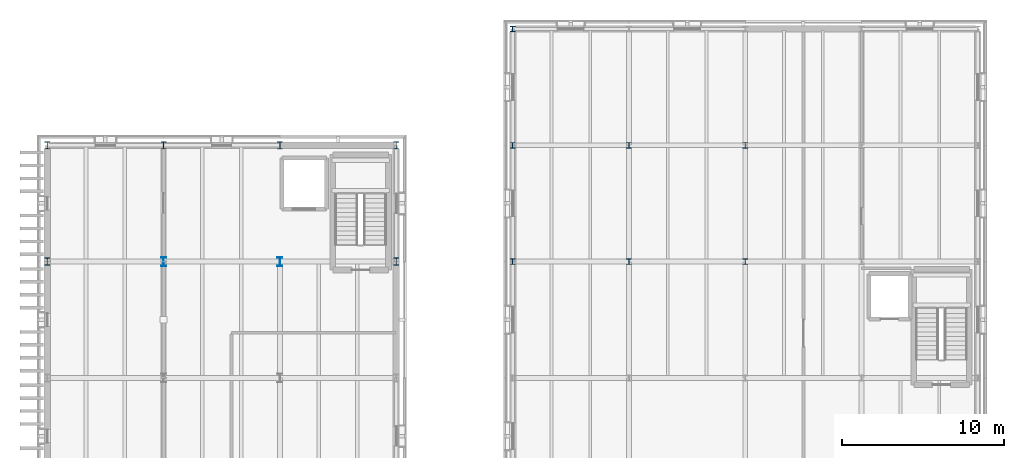
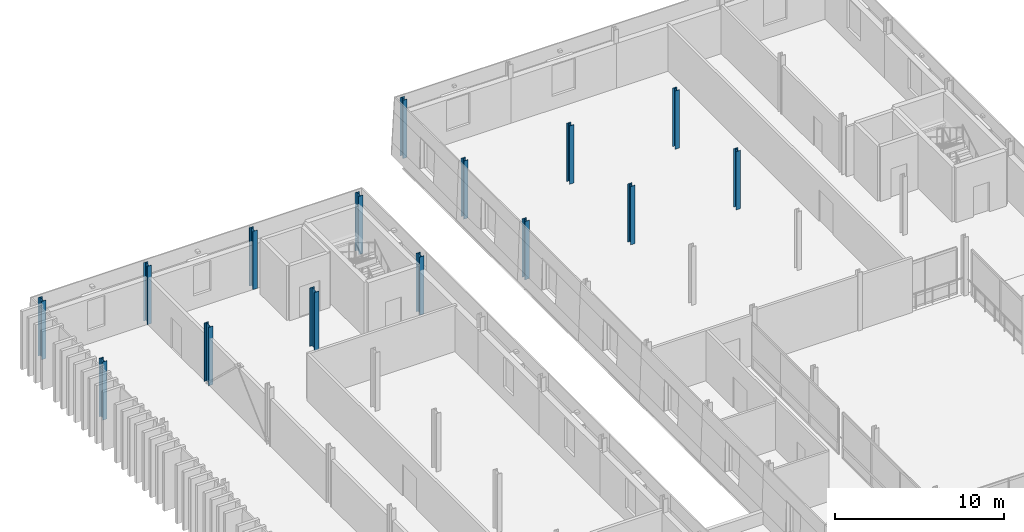
# One storey, part 7 of 91: 15 columns.
"""IFC4 building model written with IfcOpenShell, lengths in metres."""

from ifc_helpers import new_model, si_unit, direction, frame, origin, origin_2d, place, context, subcontext, project, spatial, i_section, extrude, material, material_profile, profile_set, type_object, element, save


model = new_model("IFC4")

# Units and contexts
model_context = context("Model", 3, precision=1e-05, world=origin(), true_north=direction((0.0, 1.0)))
body_context = subcontext(model_context, "Body", "Model", "MODEL_VIEW")
ifc_project = project(units=[si_unit("LENGTHUNIT", "METRE"), si_unit("AREAUNIT", "SQUARE_METRE"), si_unit("VOLUMEUNIT", "CUBIC_METRE"), si_unit("PLANEANGLEUNIT", "RADIAN"), si_unit("MASSUNIT", "GRAM", prefix="KILO")], contexts=[model_context])

# Site, building, storey
site_placement = place(None, origin())
site = spatial("IfcSite", under=ifc_project, at=site_placement, CompositionType="ELEMENT")
building_placement = place(site_placement, origin())
building = spatial("IfcBuilding", under=site, at=building_placement, Name="Narikvali Park Central Library", CompositionType="ELEMENT")
storey_placement = place(building_placement, frame((0.0, 0.0, 14.39990234375)))
storey = spatial("IfcBuildingStorey", under=building, at=storey_placement, Name="L03", CompositionType="ELEMENT", Elevation=14.39990234375)

# Columns
ifc_material = material(Name="Steel S355", Category="steel")
ifc_material_profile_1 = material_profile(ifc_material, i_section(OverallWidth=0.300048828125, OverallDepth=0.340087890625, WebThickness=0.011962890625, FlangeThickness=0.021484375, FilletRadius=0.027099609375, at=origin_2d()), Name="HEB 340")
ifc_profile_set_1 = profile_set([ifc_material_profile_1], Name="Steel S355")
column_type_1 = type_object("IfcColumnType", Name="Steel Column HEB340", PredefinedType="COLUMN", material=ifc_profile_set_1)
for number, where, z_axis, x_axis, name in (
    (1, (28.800048828125, 100.800048828125, 0.0), (0.0, 0.0, 1.0), (1.0, 0.0, 0.0), "V4 L03 Column (28.8,100.8)"),
    (2, (28.800048828125, 108.0, 0.0), (0.0, 0.0, 1.0), (1.0, 0.0, 0.0), "V4 L03 Column (28.8,108.0)"),
    (3, (28.800048828125, 115.199951171875, 0.0), (0.0, 0.0, 1.0), (1.0, 0.0, 0.0), "V4 L03 Column (28.8,115.2)"),
    (4, (36.0, 100.800048828125, 0.0), (0.0, 0.0, 1.0), (1.0, 0.0, 0.0), "V4 L03 Column (36.0,100.8)"),
    (5, (36.0, 108.0, 0.0), (0.0, 0.0, 1.0), (1.0, 0.0, 0.0), "V4 L03 Column (36.0,108.0)"),
    (6, (43.199951171875, 100.800048828125, 0.0), (0.0, 0.0, 1.0), (1.0, 0.0, 0.0), "V4 L03 Column (43.2,100.8)"),
    (7, (43.199951171875, 108.0, 0.0), (0.0, 0.0, 1.0), (1.0, 0.0, 0.0), "V4 L03 Column (43.2,108.0)"),
):
    element("IfcColumn", number, at=place(storey_placement, frame(where, z_axis=z_axis, x_axis=x_axis)), inside=storey, type_object=column_type_1, Name=name, PredefinedType="COLUMN", context=body_context, shape_type="SweptSolid", body=[
        extrude(i_section(OverallWidth=0.300048828125, OverallDepth=0.340087890625, WebThickness=0.011962890625, FlangeThickness=0.021484375, FilletRadius=0.027099609375, at=origin_2d()), origin(), (0.0, 0.0, 1.0), 4.2001953125),
    ])
ifc_material_profile_2 = material_profile(ifc_material, i_section(OverallWidth=0.300048828125, OverallDepth=0.449951171875, WebThickness=0.013916015625, FlangeThickness=0.02587890625, FilletRadius=0.027099609375, at=origin_2d()), Name="HEB 450")
ifc_profile_set_2 = profile_set([ifc_material_profile_2], Name="Steel S355")
column_type_2 = type_object("IfcColumnType", Name="Steel Column HEB450", PredefinedType="COLUMN", material=ifc_profile_set_2)
for number, where, z_axis, x_axis, name in (
    (8, (0.0, 100.800048828125, 0.0), (0.0, 0.0, 1.0), (1.0, 0.0, 0.0), "V5 L03 Column (0.0,100.8)"),
    (9, (0.0, 108.0, 0.0), (0.0, 0.0, 1.0), (1.0, 0.0, 0.0), "V5 L03 Column (0.0,108.0)"),
    (10, (7.199951171875, 108.0, 0.0), (0.0, 0.0, 1.0), (1.0, 0.0, 0.0), "V5 L03 Column (7.2,108.0)"),
    (11, (14.39990234375, 108.0, 0.0), (0.0, 0.0, 1.0), (1.0, 0.0, 0.0), "V5 L03 Column (14.4,108.0)"),
    (12, (21.60009765625, 100.800048828125, 0.0), (0.0, 0.0, 1.0), (1.0, 0.0, 0.0), "V5 L03 Column (21.6,100.8)"),
    (13, (21.60009765625, 108.0, 0.0), (0.0, 0.0, 1.0), (1.0, 0.0, 0.0), "V5 L03 Column (21.6,108.0)"),
):
    element("IfcColumn", number, at=place(storey_placement, frame(where, z_axis=z_axis, x_axis=x_axis)), inside=storey, type_object=column_type_2, Name=name, PredefinedType="COLUMN", context=body_context, shape_type="SweptSolid", body=[
        extrude(i_section(OverallWidth=0.300048828125, OverallDepth=0.449951171875, WebThickness=0.013916015625, FlangeThickness=0.02587890625, FilletRadius=0.027099609375, at=origin_2d()), origin(), (0.0, 0.0, 1.0), 4.2001953125),
    ])
ifc_material_profile_3 = material_profile(ifc_material, i_section(OverallWidth=0.300048828125, OverallDepth=0.550048828125, WebThickness=0.014892578125, FlangeThickness=0.029052734375, FilletRadius=0.027099609375, at=origin_2d()), Name="HEB 550")
ifc_profile_set_3 = profile_set([ifc_material_profile_3], Name="Steel S355")
column_type_3 = type_object("IfcColumnType", Name="Upper Stack Column HEB550", PredefinedType="COLUMN", material=ifc_profile_set_3)
for number, where, z_axis, x_axis, name in (
    (14, (7.199951171875, 100.800048828125, 0.0), (0.0, 0.0, 1.0), (1.0, 0.0, 0.0), "V5 L03 Column (7.2,100.8)"),
    (15, (14.39990234375, 100.800048828125, 0.0), (0.0, 0.0, 1.0), (1.0, 0.0, 0.0), "V5 L03 Column (14.4,100.8)"),
):
    element("IfcColumn", number, at=place(storey_placement, frame(where, z_axis=z_axis, x_axis=x_axis)), inside=storey, type_object=column_type_3, Name=name, PredefinedType="COLUMN", context=body_context, shape_type="SweptSolid", body=[
        extrude(i_section(OverallWidth=0.300048828125, OverallDepth=0.550048828125, WebThickness=0.014892578125, FlangeThickness=0.029052734375, FilletRadius=0.027099609375, at=origin_2d()), origin(), (0.0, 0.0, 1.0), 4.2001953125),
    ])

save(model, "model.ifc")
